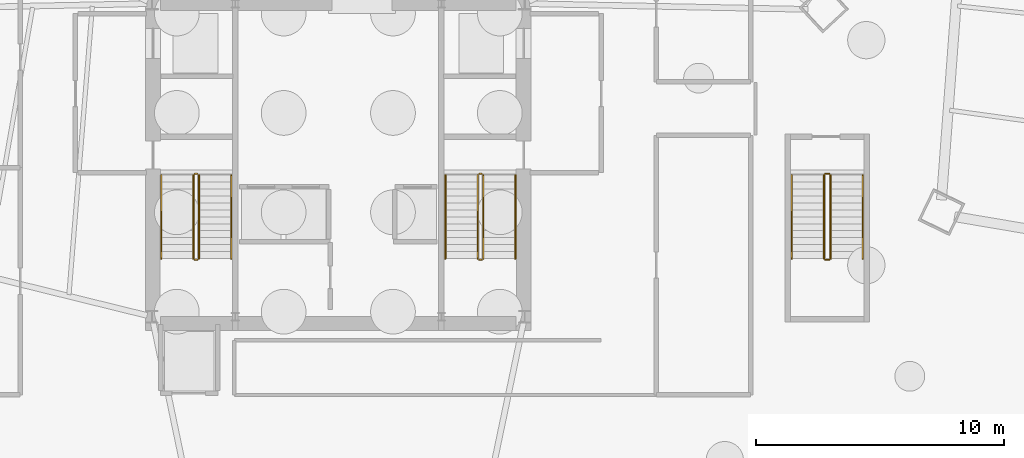
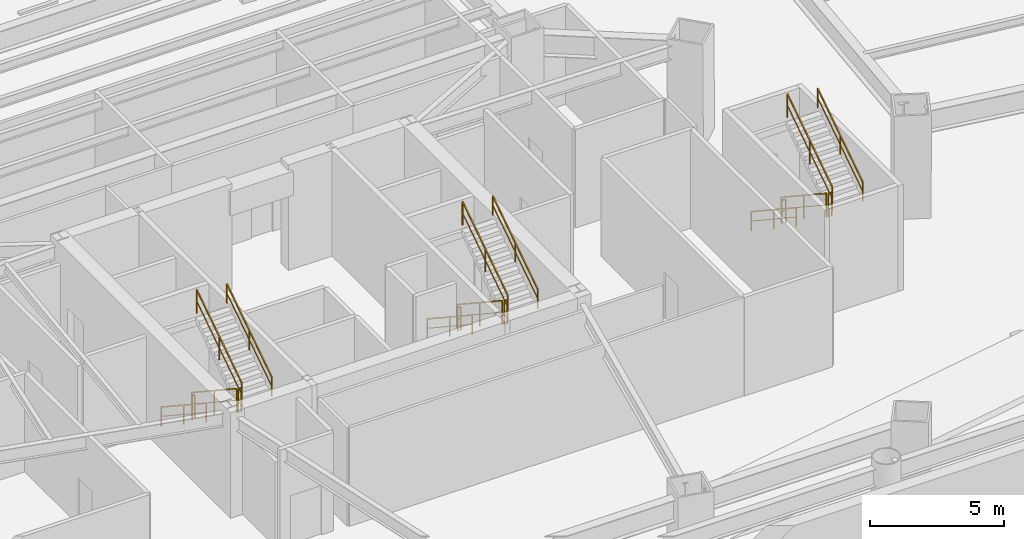
# One storey, part 10 of 11: 18 railings.
"""IFC4 building model written with IfcOpenShell, lengths in metres."""

from ifc_helpers import new_model, si_unit, direction, frame, origin, origin_2d, place, context, subcontext, project, spatial, rectangle, extrude, material, layer, layer_set, type_object, element, save


model = new_model("IFC4")

# Units and contexts
model_context = context("Model", 3, precision=1e-05, world=origin(), true_north=direction((0.0, 1.0)))
body_context = subcontext(model_context, "Body", "Model", "MODEL_VIEW")
ifc_project = project(units=[si_unit("LENGTHUNIT", "METRE"), si_unit("AREAUNIT", "SQUARE_METRE"), si_unit("VOLUMEUNIT", "CUBIC_METRE"), si_unit("PLANEANGLEUNIT", "RADIAN"), si_unit("MASSUNIT", "GRAM", prefix="KILO")], contexts=[model_context])

# Site, building, storey
site_placement = place(None, origin())
site = spatial("IfcSite", under=ifc_project, at=site_placement, CompositionType="ELEMENT")
building_placement = place(site_placement, origin())
building = spatial("IfcBuilding", under=site, at=building_placement, Name="Caelisora Broadcast Tower", CompositionType="ELEMENT")
storey_placement = place(building_placement, frame((0.0, 0.0, -4.800048828125)))
storey = spatial("IfcBuildingStorey", under=building, at=storey_placement, Name="B1", CompositionType="ELEMENT", Elevation=-4.800048828125)

# Railings
ifc_material_1 = material(Name="Galvanised Steel Safety Guardrail", Category="steel")
ifc_layer_1 = layer(ifc_material_1, 0.048095703125, Name="Galvanised Steel Safety Guardrail")
ifc_layer_set_1 = layer_set([ifc_layer_1], Name="Galvanised Steel Safety Guardrail")
railing_type_1 = type_object("IfcRailingType", Name="GR-1", PredefinedType="GUARDRAIL", material=ifc_layer_set_1)
railing_1_placement = place(storey_placement, frame((32.169921875, 23.10009765625, 0.1845703125)))
element("IfcRailing", 1, at=railing_1_placement, inside=storey, type_object=railing_type_1, Name="B1 ST-1 stair guard 1", PredefinedType="GUARDRAIL", context=body_context, shape_type="SweptSolid", body=[
    extrude(rectangle(XDim=0.048095703125, YDim=0.048095703125, at=origin_2d()), frame((0.0, 0.0, 1.076171875), z_axis=(0.0, -0.834848600103, 0.550479622607), x_axis=(1.0, 0.0, 0.0)), (0.0, 0.0, 1.0), 4.02490234375),
    extrude(rectangle(XDim=0.03125, YDim=0.03125, at=origin_2d()), frame((0.0, 0.0, 0.550048828125), z_axis=(0.0, -0.834848600103, 0.550479622607), x_axis=(1.0, 0.0, 0.0)), (0.0, 0.0, 1.0), 4.02490234375),
    extrude(rectangle(XDim=0.0419921875, YDim=0.0419921875, at=origin_2d()), origin(), (0.0, 0.0, 1.0), 1.052001953125),
    extrude(rectangle(XDim=0.0419921875, YDim=0.0419921875, at=origin_2d()), frame((0.0, -1.68017578125, 1.10791015625)), (0.0, 0.0, 1.0), 1.052001953125),
    extrude(rectangle(XDim=0.0419921875, YDim=0.0419921875, at=origin_2d()), frame((0.0, -3.360107421875, 2.215576171875)), (0.0, 0.0, 1.0), 1.052001953125),
])
railing_2_placement = place(storey_placement, frame((32.219970703125, 19.68994140625, 2.400146484375)))
element("IfcRailing", 2, at=railing_2_placement, inside=storey, type_object=railing_type_1, Name="B1 ST-1 stair guard 2", PredefinedType="GUARDRAIL", context=body_context, shape_type="SweptSolid", body=[
    extrude(rectangle(XDim=0.048095703125, YDim=0.048095703125, at=origin_2d()), frame((0.0, 0.0, 1.076171875), z_axis=(1.0, 0.0, 0.0), x_axis=(0.0, 1.0, 0.0)), (0.0, 0.0, 1.0), 0.1201171875),
    extrude(rectangle(XDim=0.03125, YDim=0.03125, at=origin_2d()), frame((0.0, 0.0, 0.550048828125), z_axis=(1.0, 0.0, 0.0), x_axis=(0.0, 1.0, 0.0)), (0.0, 0.0, 1.0), 0.1201171875),
    extrude(rectangle(XDim=0.0419921875, YDim=0.0419921875, at=origin_2d()), origin(), (0.0, 0.0, 1.0), 1.052001953125),
    extrude(rectangle(XDim=0.0419921875, YDim=0.0419921875, at=origin_2d()), frame((0.1201171875, 0.0, 0.0)), (0.0, 0.0, 1.0), 1.052001953125),
])
railing_3_placement = place(storey_placement, frame((32.389892578125, 19.739990234375, 2.584716796875)))
element("IfcRailing", 3, at=railing_3_placement, inside=storey, type_object=railing_type_1, Name="B1 ST-1 stair guard 3", PredefinedType="GUARDRAIL", context=body_context, shape_type="SweptSolid", body=[
    extrude(rectangle(XDim=0.048095703125, YDim=0.048095703125, at=origin_2d()), frame((0.0, 0.0, 1.076171875), z_axis=(0.0, 0.834876476806, 0.550437342915), x_axis=(-1.0, 0.0, 0.0)), (0.0, 0.0, 1.0), 4.024658203125),
    extrude(rectangle(XDim=0.03125, YDim=0.03125, at=origin_2d()), frame((0.0, 0.0, 0.550048828125), z_axis=(0.0, 0.834876476806, 0.550437342915), x_axis=(-1.0, 0.0, 0.0)), (0.0, 0.0, 1.0), 4.024658203125),
    extrude(rectangle(XDim=0.0419921875, YDim=0.0419921875, at=origin_2d()), origin(), (0.0, 0.0, 1.0), 1.052001953125),
    extrude(rectangle(XDim=0.0419921875, YDim=0.0419921875, at=origin_2d()), frame((0.0, 1.68017578125, 1.107666015625)), (0.0, 0.0, 1.0), 1.052001953125),
    extrude(rectangle(XDim=0.0419921875, YDim=0.0419921875, at=origin_2d()), frame((0.0, 3.360107421875, 2.21533203125)), (0.0, 0.0, 1.0), 1.052001953125),
])
railing_4_placement = place(storey_placement, frame((32.219970703125, 23.14990234375, 0.0)))
element("IfcRailing", 4, at=railing_4_placement, inside=storey, type_object=railing_type_1, Name="B1 ST-1 stair guard 4", PredefinedType="GUARDRAIL", context=body_context, shape_type="SweptSolid", body=[
    extrude(rectangle(XDim=0.048095703125, YDim=0.048095703125, at=origin_2d()), frame((0.0, 0.0, 1.076171875), z_axis=(1.0, 0.0, 0.0), x_axis=(0.0, 1.0, 0.0)), (0.0, 0.0, 1.0), 0.1201171875),
    extrude(rectangle(XDim=0.03125, YDim=0.03125, at=origin_2d()), frame((0.0, 0.0, 0.550048828125), z_axis=(1.0, 0.0, 0.0), x_axis=(0.0, 1.0, 0.0)), (0.0, 0.0, 1.0), 0.1201171875),
    extrude(rectangle(XDim=0.0419921875, YDim=0.0419921875, at=origin_2d()), origin(), (0.0, 0.0, 1.0), 1.052001953125),
    extrude(rectangle(XDim=0.0419921875, YDim=0.0419921875, at=origin_2d()), frame((0.1201171875, 0.0, 0.0)), (0.0, 0.0, 1.0), 1.052001953125),
])
railing_5_placement = place(storey_placement, frame((43.610107421875, 23.10009765625, 0.1845703125)))
element("IfcRailing", 5, at=railing_5_placement, inside=storey, type_object=railing_type_1, Name="B1 ST-2 stair guard 1", PredefinedType="GUARDRAIL", context=body_context, shape_type="SweptSolid", body=[
    extrude(rectangle(XDim=0.048095703125, YDim=0.048095703125, at=origin_2d()), frame((0.0, 0.0, 1.076171875), z_axis=(0.0, -0.834848600103, 0.550479622607), x_axis=(1.0, 0.0, 0.0)), (0.0, 0.0, 1.0), 4.02490234375),
    extrude(rectangle(XDim=0.03125, YDim=0.03125, at=origin_2d()), frame((0.0, 0.0, 0.550048828125), z_axis=(0.0, -0.834848600103, 0.550479622607), x_axis=(1.0, 0.0, 0.0)), (0.0, 0.0, 1.0), 4.02490234375),
    extrude(rectangle(XDim=0.0419921875, YDim=0.0419921875, at=origin_2d()), origin(), (0.0, 0.0, 1.0), 1.052001953125),
    extrude(rectangle(XDim=0.0419921875, YDim=0.0419921875, at=origin_2d()), frame((0.0, -1.68017578125, 1.10791015625)), (0.0, 0.0, 1.0), 1.052001953125),
    extrude(rectangle(XDim=0.0419921875, YDim=0.0419921875, at=origin_2d()), frame((0.0, -3.360107421875, 2.215576171875)), (0.0, 0.0, 1.0), 1.052001953125),
])
railing_6_placement = place(storey_placement, frame((43.659912109375, 19.68994140625, 2.400146484375)))
element("IfcRailing", 6, at=railing_6_placement, inside=storey, type_object=railing_type_1, Name="B1 ST-2 stair guard 2", PredefinedType="GUARDRAIL", context=body_context, shape_type="SweptSolid", body=[
    extrude(rectangle(XDim=0.048095703125, YDim=0.048095703125, at=origin_2d()), frame((0.0, 0.0, 1.076171875), z_axis=(1.0, 0.0, 0.0), x_axis=(0.0, 1.0, 0.0)), (0.0, 0.0, 1.0), 0.1201171875),
    extrude(rectangle(XDim=0.03125, YDim=0.03125, at=origin_2d()), frame((0.0, 0.0, 0.550048828125), z_axis=(1.0, 0.0, 0.0), x_axis=(0.0, 1.0, 0.0)), (0.0, 0.0, 1.0), 0.1201171875),
    extrude(rectangle(XDim=0.0419921875, YDim=0.0419921875, at=origin_2d()), origin(), (0.0, 0.0, 1.0), 1.052001953125),
    extrude(rectangle(XDim=0.0419921875, YDim=0.0419921875, at=origin_2d()), frame((0.1201171875, 0.0, 0.0)), (0.0, 0.0, 1.0), 1.052001953125),
])
railing_7_placement = place(storey_placement, frame((43.830078125, 19.739990234375, 2.584716796875)))
element("IfcRailing", 7, at=railing_7_placement, inside=storey, type_object=railing_type_1, Name="B1 ST-2 stair guard 3", PredefinedType="GUARDRAIL", context=body_context, shape_type="SweptSolid", body=[
    extrude(rectangle(XDim=0.048095703125, YDim=0.048095703125, at=origin_2d()), frame((0.0, 0.0, 1.076171875), z_axis=(0.0, 0.834876476806, 0.550437342915), x_axis=(-1.0, 0.0, 0.0)), (0.0, 0.0, 1.0), 4.024658203125),
    extrude(rectangle(XDim=0.03125, YDim=0.03125, at=origin_2d()), frame((0.0, 0.0, 0.550048828125), z_axis=(0.0, 0.834876476806, 0.550437342915), x_axis=(-1.0, 0.0, 0.0)), (0.0, 0.0, 1.0), 4.024658203125),
    extrude(rectangle(XDim=0.0419921875, YDim=0.0419921875, at=origin_2d()), origin(), (0.0, 0.0, 1.0), 1.052001953125),
    extrude(rectangle(XDim=0.0419921875, YDim=0.0419921875, at=origin_2d()), frame((0.0, 1.68017578125, 1.107666015625)), (0.0, 0.0, 1.0), 1.052001953125),
    extrude(rectangle(XDim=0.0419921875, YDim=0.0419921875, at=origin_2d()), frame((0.0, 3.360107421875, 2.21533203125)), (0.0, 0.0, 1.0), 1.052001953125),
])
railing_8_placement = place(storey_placement, frame((43.659912109375, 23.14990234375, 0.0)))
element("IfcRailing", 8, at=railing_8_placement, inside=storey, type_object=railing_type_1, Name="B1 ST-2 stair guard 4", PredefinedType="GUARDRAIL", context=body_context, shape_type="SweptSolid", body=[
    extrude(rectangle(XDim=0.048095703125, YDim=0.048095703125, at=origin_2d()), frame((0.0, 0.0, 1.076171875), z_axis=(1.0, 0.0, 0.0), x_axis=(0.0, 1.0, 0.0)), (0.0, 0.0, 1.0), 0.1201171875),
    extrude(rectangle(XDim=0.03125, YDim=0.03125, at=origin_2d()), frame((0.0, 0.0, 0.550048828125), z_axis=(1.0, 0.0, 0.0), x_axis=(0.0, 1.0, 0.0)), (0.0, 0.0, 1.0), 0.1201171875),
    extrude(rectangle(XDim=0.0419921875, YDim=0.0419921875, at=origin_2d()), origin(), (0.0, 0.0, 1.0), 1.052001953125),
    extrude(rectangle(XDim=0.0419921875, YDim=0.0419921875, at=origin_2d()), frame((0.1201171875, 0.0, 0.0)), (0.0, 0.0, 1.0), 1.052001953125),
])
railing_9_placement = place(storey_placement, frame((57.550048828125, 23.10009765625, 0.1845703125)))
element("IfcRailing", 9, at=railing_9_placement, inside=storey, type_object=railing_type_1, Name="B1 ST-3 stair guard 1", PredefinedType="GUARDRAIL", context=body_context, shape_type="SweptSolid", body=[
    extrude(rectangle(XDim=0.048095703125, YDim=0.048095703125, at=origin_2d()), frame((0.0, 0.0, 1.076171875), z_axis=(0.0, -0.834848600103, 0.550479622607), x_axis=(1.0, 0.0, 0.0)), (0.0, 0.0, 1.0), 4.02490234375),
    extrude(rectangle(XDim=0.03125, YDim=0.03125, at=origin_2d()), frame((0.0, 0.0, 0.550048828125), z_axis=(0.0, -0.834848600103, 0.550479622607), x_axis=(1.0, 0.0, 0.0)), (0.0, 0.0, 1.0), 4.02490234375),
    extrude(rectangle(XDim=0.0419921875, YDim=0.0419921875, at=origin_2d()), origin(), (0.0, 0.0, 1.0), 1.052001953125),
    extrude(rectangle(XDim=0.0419921875, YDim=0.0419921875, at=origin_2d()), frame((0.0, -1.68017578125, 1.10791015625)), (0.0, 0.0, 1.0), 1.052001953125),
    extrude(rectangle(XDim=0.0419921875, YDim=0.0419921875, at=origin_2d()), frame((0.0, -3.360107421875, 2.215576171875)), (0.0, 0.0, 1.0), 1.052001953125),
])
railing_10_placement = place(storey_placement, frame((57.60009765625, 19.68994140625, 2.400146484375)))
element("IfcRailing", 10, at=railing_10_placement, inside=storey, type_object=railing_type_1, Name="B1 ST-3 stair guard 2", PredefinedType="GUARDRAIL", context=body_context, shape_type="SweptSolid", body=[
    extrude(rectangle(XDim=0.048095703125, YDim=0.048095703125, at=origin_2d()), frame((0.0, 0.0, 1.076171875), z_axis=(1.0, 0.0, 0.0), x_axis=(0.0, 1.0, 0.0)), (0.0, 0.0, 1.0), 0.159912109375),
    extrude(rectangle(XDim=0.03125, YDim=0.03125, at=origin_2d()), frame((0.0, 0.0, 0.550048828125), z_axis=(1.0, 0.0, 0.0), x_axis=(0.0, 1.0, 0.0)), (0.0, 0.0, 1.0), 0.159912109375),
    extrude(rectangle(XDim=0.0419921875, YDim=0.0419921875, at=origin_2d()), origin(), (0.0, 0.0, 1.0), 1.052001953125),
    extrude(rectangle(XDim=0.0419921875, YDim=0.0419921875, at=origin_2d()), frame((0.159912109375, 0.0, 0.0)), (0.0, 0.0, 1.0), 1.052001953125),
])
railing_11_placement = place(storey_placement, frame((57.81005859375, 19.739990234375, 2.584716796875)))
element("IfcRailing", 11, at=railing_11_placement, inside=storey, type_object=railing_type_1, Name="B1 ST-3 stair guard 3", PredefinedType="GUARDRAIL", context=body_context, shape_type="SweptSolid", body=[
    extrude(rectangle(XDim=0.048095703125, YDim=0.048095703125, at=origin_2d()), frame((0.0, 0.0, 1.076171875), z_axis=(0.0, 0.834876476806, 0.550437342915), x_axis=(-1.0, 0.0, 0.0)), (0.0, 0.0, 1.0), 4.024658203125),
    extrude(rectangle(XDim=0.03125, YDim=0.03125, at=origin_2d()), frame((0.0, 0.0, 0.550048828125), z_axis=(0.0, 0.834876476806, 0.550437342915), x_axis=(-1.0, 0.0, 0.0)), (0.0, 0.0, 1.0), 4.024658203125),
    extrude(rectangle(XDim=0.0419921875, YDim=0.0419921875, at=origin_2d()), origin(), (0.0, 0.0, 1.0), 1.052001953125),
    extrude(rectangle(XDim=0.0419921875, YDim=0.0419921875, at=origin_2d()), frame((0.0, 1.68017578125, 1.107666015625)), (0.0, 0.0, 1.0), 1.052001953125),
    extrude(rectangle(XDim=0.0419921875, YDim=0.0419921875, at=origin_2d()), frame((0.0, 3.360107421875, 2.21533203125)), (0.0, 0.0, 1.0), 1.052001953125),
])
railing_12_placement = place(storey_placement, frame((57.60009765625, 23.14990234375, 0.0)))
element("IfcRailing", 12, at=railing_12_placement, inside=storey, type_object=railing_type_1, Name="B1 ST-3 stair guard 4", PredefinedType="GUARDRAIL", context=body_context, shape_type="SweptSolid", body=[
    extrude(rectangle(XDim=0.048095703125, YDim=0.048095703125, at=origin_2d()), frame((0.0, 0.0, 1.076171875), z_axis=(1.0, 0.0, 0.0), x_axis=(0.0, 1.0, 0.0)), (0.0, 0.0, 1.0), 0.159912109375),
    extrude(rectangle(XDim=0.03125, YDim=0.03125, at=origin_2d()), frame((0.0, 0.0, 0.550048828125), z_axis=(1.0, 0.0, 0.0), x_axis=(0.0, 1.0, 0.0)), (0.0, 0.0, 1.0), 0.159912109375),
    extrude(rectangle(XDim=0.0419921875, YDim=0.0419921875, at=origin_2d()), origin(), (0.0, 0.0, 1.0), 1.052001953125),
    extrude(rectangle(XDim=0.0419921875, YDim=0.0419921875, at=origin_2d()), frame((0.159912109375, 0.0, 0.0)), (0.0, 0.0, 1.0), 1.052001953125),
])
ifc_material_2 = material(Name="Stainless Steel Grade 316 Tubular Handrail", Category="steel")
ifc_layer_2 = layer(ifc_material_2, 0.048095703125, Name="Stainless Steel Grade 316 Tubular Handrail")
ifc_layer_set_2 = layer_set([ifc_layer_2], Name="Stainless Steel Grade 316 Tubular Handrail")
railing_type_2 = type_object("IfcRailingType", Name="HR-1", PredefinedType="HANDRAIL", material=ifc_layer_set_2)
railing_13_placement = place(storey_placement, frame((30.8701171875, 23.10009765625, 0.1845703125)))
element("IfcRailing", 13, at=railing_13_placement, inside=storey, type_object=railing_type_2, Name="B1 ST-1 stair handrail 1", PredefinedType="HANDRAIL", context=body_context, shape_type="SweptSolid", body=[
    extrude(rectangle(XDim=0.048095703125, YDim=0.048095703125, at=origin_2d()), frame((0.0, 0.0, 0.8759765625), z_axis=(0.0, -0.834848600103, 0.550479622607), x_axis=(1.0, 0.0, 0.0)), (0.0, 0.0, 1.0), 4.02490234375),
    extrude(rectangle(XDim=0.03125, YDim=0.03125, at=origin_2d()), frame((0.0, 0.0, 0.449951171875), z_axis=(0.0, -0.834848600103, 0.550479622607), x_axis=(1.0, 0.0, 0.0)), (0.0, 0.0, 1.0), 4.02490234375),
    extrude(rectangle(XDim=0.0419921875, YDim=0.0419921875, at=origin_2d()), origin(), (0.0, 0.0, 1.0), 0.851806640625),
    extrude(rectangle(XDim=0.0419921875, YDim=0.0419921875, at=origin_2d()), frame((0.0, -1.68017578125, 1.10791015625)), (0.0, 0.0, 1.0), 0.851806640625),
    extrude(rectangle(XDim=0.0419921875, YDim=0.0419921875, at=origin_2d()), frame((0.0, -3.360107421875, 2.215576171875)), (0.0, 0.0, 1.0), 0.851806640625),
])
railing_14_placement = place(storey_placement, frame((33.68994140625, 19.739990234375, 2.584716796875)))
element("IfcRailing", 14, at=railing_14_placement, inside=storey, type_object=railing_type_2, Name="B1 ST-1 stair handrail 2", PredefinedType="HANDRAIL", context=body_context, shape_type="SweptSolid", body=[
    extrude(rectangle(XDim=0.048095703125, YDim=0.048095703125, at=origin_2d()), frame((0.0, 0.0, 0.8759765625), z_axis=(0.0, 0.834876476806, 0.550437342915), x_axis=(-1.0, 0.0, 0.0)), (0.0, 0.0, 1.0), 4.024658203125),
    extrude(rectangle(XDim=0.03125, YDim=0.03125, at=origin_2d()), frame((0.0, 0.0, 0.449951171875), z_axis=(0.0, 0.834876476806, 0.550437342915), x_axis=(-1.0, 0.0, 0.0)), (0.0, 0.0, 1.0), 4.024658203125),
    extrude(rectangle(XDim=0.0419921875, YDim=0.0419921875, at=origin_2d()), origin(), (0.0, 0.0, 1.0), 0.851806640625),
    extrude(rectangle(XDim=0.0419921875, YDim=0.0419921875, at=origin_2d()), frame((0.0, 1.68017578125, 1.107666015625)), (0.0, 0.0, 1.0), 0.851806640625),
    extrude(rectangle(XDim=0.0419921875, YDim=0.0419921875, at=origin_2d()), frame((0.0, 3.360107421875, 2.21533203125)), (0.0, 0.0, 1.0), 0.851806640625),
])
railing_15_placement = place(storey_placement, frame((42.31005859375, 23.10009765625, 0.1845703125)))
element("IfcRailing", 15, at=railing_15_placement, inside=storey, type_object=railing_type_2, Name="B1 ST-2 stair handrail 1", PredefinedType="HANDRAIL", context=body_context, shape_type="SweptSolid", body=[
    extrude(rectangle(XDim=0.048095703125, YDim=0.048095703125, at=origin_2d()), frame((0.0, 0.0, 0.8759765625), z_axis=(0.0, -0.834848600103, 0.550479622607), x_axis=(1.0, 0.0, 0.0)), (0.0, 0.0, 1.0), 4.02490234375),
    extrude(rectangle(XDim=0.03125, YDim=0.03125, at=origin_2d()), frame((0.0, 0.0, 0.449951171875), z_axis=(0.0, -0.834848600103, 0.550479622607), x_axis=(1.0, 0.0, 0.0)), (0.0, 0.0, 1.0), 4.02490234375),
    extrude(rectangle(XDim=0.0419921875, YDim=0.0419921875, at=origin_2d()), origin(), (0.0, 0.0, 1.0), 0.851806640625),
    extrude(rectangle(XDim=0.0419921875, YDim=0.0419921875, at=origin_2d()), frame((0.0, -1.68017578125, 1.10791015625)), (0.0, 0.0, 1.0), 0.851806640625),
    extrude(rectangle(XDim=0.0419921875, YDim=0.0419921875, at=origin_2d()), frame((0.0, -3.360107421875, 2.215576171875)), (0.0, 0.0, 1.0), 0.851806640625),
])
railing_16_placement = place(storey_placement, frame((45.1298828125, 19.739990234375, 2.584716796875)))
element("IfcRailing", 16, at=railing_16_placement, inside=storey, type_object=railing_type_2, Name="B1 ST-2 stair handrail 2", PredefinedType="HANDRAIL", context=body_context, shape_type="SweptSolid", body=[
    extrude(rectangle(XDim=0.048095703125, YDim=0.048095703125, at=origin_2d()), frame((0.0, 0.0, 0.8759765625), z_axis=(0.0, 0.834876476806, 0.550437342915), x_axis=(-1.0, 0.0, 0.0)), (0.0, 0.0, 1.0), 4.024658203125),
    extrude(rectangle(XDim=0.03125, YDim=0.03125, at=origin_2d()), frame((0.0, 0.0, 0.449951171875), z_axis=(0.0, 0.834876476806, 0.550437342915), x_axis=(-1.0, 0.0, 0.0)), (0.0, 0.0, 1.0), 4.024658203125),
    extrude(rectangle(XDim=0.0419921875, YDim=0.0419921875, at=origin_2d()), origin(), (0.0, 0.0, 1.0), 0.851806640625),
    extrude(rectangle(XDim=0.0419921875, YDim=0.0419921875, at=origin_2d()), frame((0.0, 1.68017578125, 1.107666015625)), (0.0, 0.0, 1.0), 0.851806640625),
    extrude(rectangle(XDim=0.0419921875, YDim=0.0419921875, at=origin_2d()), frame((0.0, 3.360107421875, 2.21533203125)), (0.0, 0.0, 1.0), 0.851806640625),
])
railing_17_placement = place(storey_placement, frame((56.25, 23.10009765625, 0.1845703125)))
element("IfcRailing", 17, at=railing_17_placement, inside=storey, type_object=railing_type_2, Name="B1 ST-3 stair handrail 1", PredefinedType="HANDRAIL", context=body_context, shape_type="SweptSolid", body=[
    extrude(rectangle(XDim=0.048095703125, YDim=0.048095703125, at=origin_2d()), frame((0.0, 0.0, 0.8759765625), z_axis=(0.0, -0.834848600103, 0.550479622607), x_axis=(1.0, 0.0, 0.0)), (0.0, 0.0, 1.0), 4.02490234375),
    extrude(rectangle(XDim=0.03125, YDim=0.03125, at=origin_2d()), frame((0.0, 0.0, 0.449951171875), z_axis=(0.0, -0.834848600103, 0.550479622607), x_axis=(1.0, 0.0, 0.0)), (0.0, 0.0, 1.0), 4.02490234375),
    extrude(rectangle(XDim=0.0419921875, YDim=0.0419921875, at=origin_2d()), origin(), (0.0, 0.0, 1.0), 0.851806640625),
    extrude(rectangle(XDim=0.0419921875, YDim=0.0419921875, at=origin_2d()), frame((0.0, -1.68017578125, 1.10791015625)), (0.0, 0.0, 1.0), 0.851806640625),
    extrude(rectangle(XDim=0.0419921875, YDim=0.0419921875, at=origin_2d()), frame((0.0, -3.360107421875, 2.215576171875)), (0.0, 0.0, 1.0), 0.851806640625),
])
railing_18_placement = place(storey_placement, frame((59.110107421875, 19.739990234375, 2.584716796875)))
element("IfcRailing", 18, at=railing_18_placement, inside=storey, type_object=railing_type_2, Name="B1 ST-3 stair handrail 2", PredefinedType="HANDRAIL", context=body_context, shape_type="SweptSolid", body=[
    extrude(rectangle(XDim=0.048095703125, YDim=0.048095703125, at=origin_2d()), frame((0.0, 0.0, 0.8759765625), z_axis=(0.0, 0.834876476806, 0.550437342915), x_axis=(-1.0, 0.0, 0.0)), (0.0, 0.0, 1.0), 4.024658203125),
    extrude(rectangle(XDim=0.03125, YDim=0.03125, at=origin_2d()), frame((0.0, 0.0, 0.449951171875), z_axis=(0.0, 0.834876476806, 0.550437342915), x_axis=(-1.0, 0.0, 0.0)), (0.0, 0.0, 1.0), 4.024658203125),
    extrude(rectangle(XDim=0.0419921875, YDim=0.0419921875, at=origin_2d()), origin(), (0.0, 0.0, 1.0), 0.851806640625),
    extrude(rectangle(XDim=0.0419921875, YDim=0.0419921875, at=origin_2d()), frame((0.0, 1.68017578125, 1.107666015625)), (0.0, 0.0, 1.0), 0.851806640625),
    extrude(rectangle(XDim=0.0419921875, YDim=0.0419921875, at=origin_2d()), frame((0.0, 3.360107421875, 2.21533203125)), (0.0, 0.0, 1.0), 0.851806640625),
])

save(model, "model.ifc")
